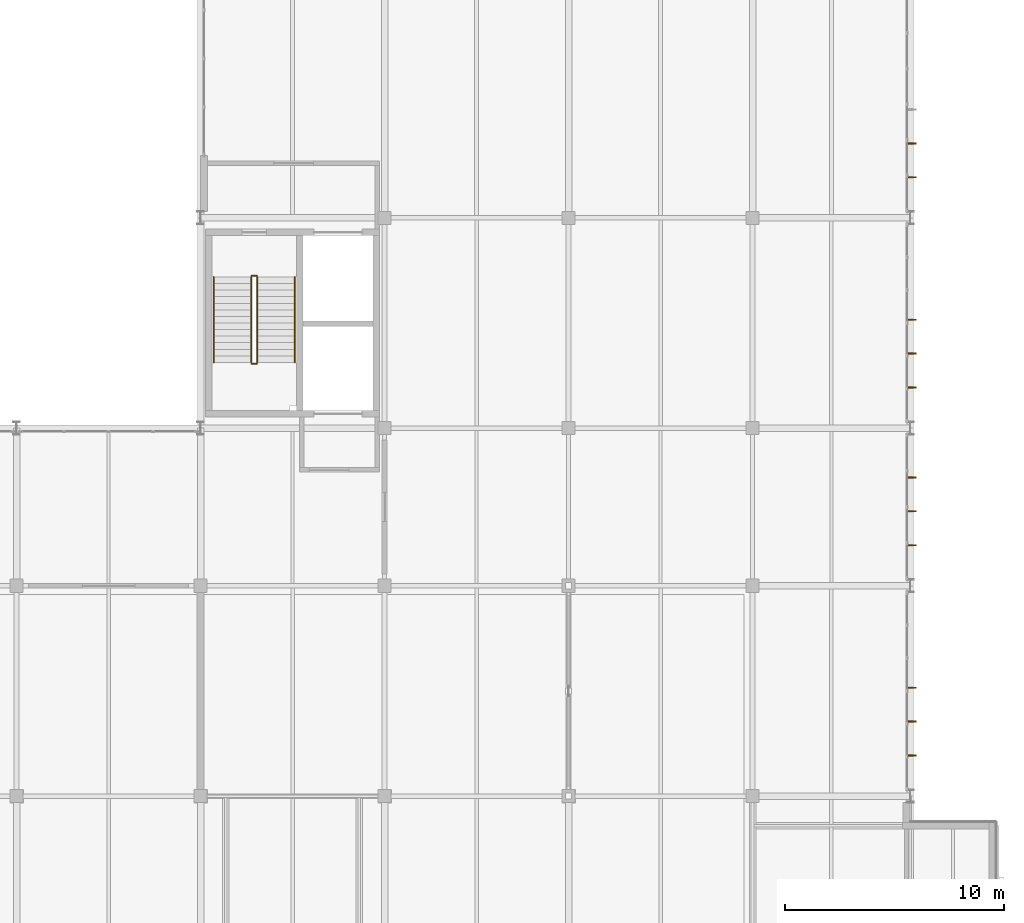
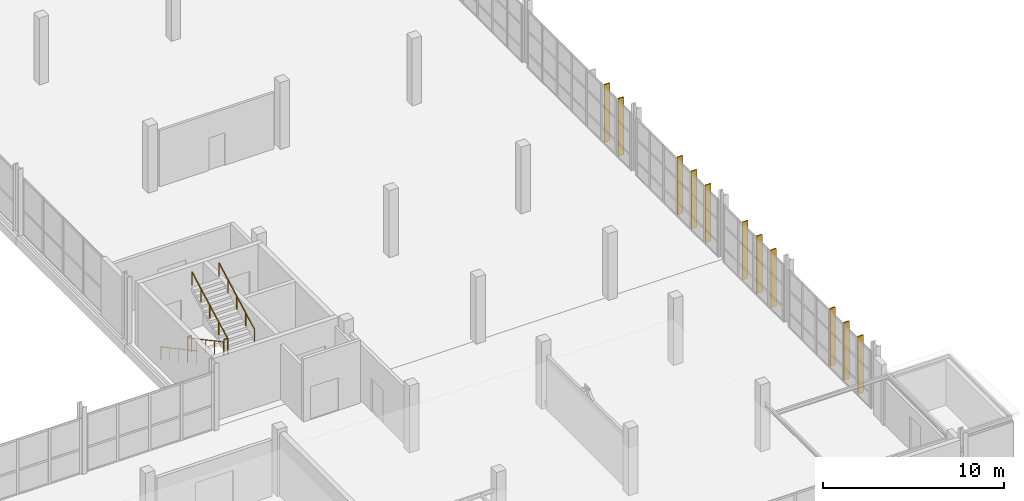
# One storey, part 129 of 130: 11 shading devices, 6 railings.
"""IFC4 building model written with IfcOpenShell, lengths in metres."""

from ifc_helpers import new_model, si_unit, direction, frame, origin, origin_2d, place, context, subcontext, project, spatial, rectangle, circle, extrude, material, type_object, element, save


model = new_model("IFC4")

# Units and contexts
model_context = context("Model", 3, precision=1e-05, world=origin(), true_north=direction((0.0, 1.0)))
body_context = subcontext(model_context, "Body", "Model", "MODEL_VIEW")
ifc_project = project(units=[si_unit("LENGTHUNIT", "METRE"), si_unit("AREAUNIT", "SQUARE_METRE"), si_unit("VOLUMEUNIT", "CUBIC_METRE"), si_unit("PLANEANGLEUNIT", "RADIAN"), si_unit("MASSUNIT", "GRAM", prefix="KILO")], contexts=[model_context])

# Site, building, storey
site_placement = place(None, origin())
site = spatial("IfcSite", under=ifc_project, at=site_placement, CompositionType="ELEMENT")
building_placement = place(site_placement, origin())
building = spatial("IfcBuilding", under=site, at=building_placement, Name="Veltarok Museum of Natural Sciences", CompositionType="ELEMENT")
storey_placement = place(building_placement, frame((0.0, 0.0, 12.89990234375)))
storey = spatial("IfcBuildingStorey", under=building, at=storey_placement, Name="L02", CompositionType="ELEMENT", Elevation=12.89990234375)

# Railings
ifc_material_1 = material(Name="Steel S355J2", Category="steel")
railing_type_1 = type_object("IfcRailingType", Name="Interior Atrium and Stairwell Guardrail 1100", PredefinedType="GUARDRAIL", material=ifc_material_1)
for number, where, name in (
    (1, (134.72998046875, 33.35009765625, 0.0), "Stairwell Floor Guard ST-05 L02"),
    (2, (134.72998046875, 29.340087890625, 2.25), "Landing Well Guard ST-05-L02-L1"),
):
    element("IfcRailing", number, at=place(storey_placement, frame(where)), inside=storey, type_object=railing_type_1, Name=name, PredefinedType="GUARDRAIL", context=body_context, shape_type="SweptSolid", body=[
        extrude(circle(Radius=0.02392578125, at=origin_2d()), frame((0.0, 0.0, 1.076171875), z_axis=(1.0, 0.0, 0.0), x_axis=(0.0, 1.0, 0.0)), (0.0, 0.0, 1.0), 0.239990234375),
        extrude(circle(Radius=0.02099609375, at=origin_2d()), origin(), (0.0, 0.0, 1.0), 1.052001953125),
        extrude(circle(Radius=0.02099609375, at=origin_2d()), frame((0.239990234375, 0.0, 0.0)), (0.0, 0.0, 1.0), 1.052001953125),
    ])
railing_type_2 = type_object("IfcRailingType", Name="Stair Flight Tubular Steel Handrail 900", PredefinedType="HANDRAIL", material=ifc_material_1)
for number, where, name in (
    (3, (133.0, 33.300048828125, 0.160888671875), "Stair Handrail ST-05-L02-F1L"),
    (4, (134.719970703125, 33.300048828125, 0.160888671875), "Stair Handrail ST-05-L02-F1R"),
):
    element("IfcRailing", number, at=place(storey_placement, frame(where)), inside=storey, type_object=railing_type_2, Name=name, PredefinedType="HANDRAIL", context=body_context, shape_type="SweptSolid", body=[
        extrude(circle(Radius=0.02392578125, at=origin_2d()), frame((0.0, 0.0, 0.8759765625), z_axis=(0.0, -0.881503758195, 0.472177005251), x_axis=(1.0, 0.0, 0.0)), (0.0, 0.0, 1.0), 4.42431640625),
        extrude(circle(Radius=0.02099609375, at=origin_2d()), origin(), (0.0, 0.0, 1.0), 0.851806640625),
        extrude(circle(Radius=0.02099609375, at=origin_2d()), frame((0.0, -0.97509765625, 0.522216796875)), (0.0, 0.0, 1.0), 0.851806640625),
        extrude(circle(Radius=0.02099609375, at=origin_2d()), frame((0.0, -1.9501953125, 1.04443359375)), (0.0, 0.0, 1.0), 0.851806640625),
        extrude(circle(Radius=0.02099609375, at=origin_2d()), frame((0.0, -2.925048828125, 1.56689453125)), (0.0, 0.0, 1.0), 0.851806640625),
        extrude(circle(Radius=0.02099609375, at=origin_2d()), frame((0.0, -3.900146484375, 2.089111328125)), (0.0, 0.0, 1.0), 0.851806640625),
    ])
for number, where, name in (
    (5, (134.97998046875, 29.39990234375, 2.410888671875), "Stair Handrail ST-05-L02-F2L"),
    (6, (136.699951171875, 29.39990234375, 2.410888671875), "Stair Handrail ST-05-L02-F2R"),
):
    element("IfcRailing", number, at=place(storey_placement, frame(where)), inside=storey, type_object=railing_type_2, Name=name, PredefinedType="HANDRAIL", context=body_context, shape_type="SweptSolid", body=[
        extrude(circle(Radius=0.02392578125, at=origin_2d()), frame((0.0, 0.0, 0.8759765625), z_axis=(0.0, 0.881503758195, 0.472177005251), x_axis=(-1.0, 0.0, 0.0)), (0.0, 0.0, 1.0), 4.42431640625),
        extrude(circle(Radius=0.02099609375, at=origin_2d()), origin(), (0.0, 0.0, 1.0), 0.851806640625),
        extrude(circle(Radius=0.02099609375, at=origin_2d()), frame((0.0, 0.97509765625, 0.522216796875)), (0.0, 0.0, 1.0), 0.851806640625),
        extrude(circle(Radius=0.02099609375, at=origin_2d()), frame((0.0, 1.9501953125, 1.04443359375)), (0.0, 0.0, 1.0), 0.851806640625),
        extrude(circle(Radius=0.02099609375, at=origin_2d()), frame((0.0, 2.925048828125, 1.56689453125)), (0.0, 0.0, 1.0), 0.851806640625),
        extrude(circle(Radius=0.02099609375, at=origin_2d()), frame((0.0, 3.900146484375, 2.089111328125)), (0.0, 0.0, 1.0), 0.851806640625),
    ])

# Shading devices
ifc_material_2 = material(Name="Thermally broken anodised aluminium", Category="aluminium")
shading_device_type = type_object("IfcShadingDeviceType", Name="Vertical Anodised Aluminium Solar Shading Fin 350", PredefinedType="JALOUSIE", material=ifc_material_2)
for number, where, z_axis, x_axis, name in (
    (7, (164.889892578125, 11.449951171875, 0.000244140625), (0.0, 0.0, 1.0), (1.0, 0.0, 0.0), "Solar Shading Fin L02 34"),
    (8, (164.889892578125, 13.0, 0.000244140625), (0.0, 0.0, 1.0), (1.0, 0.0, 0.0), "Solar Shading Fin L02 35"),
    (9, (164.889892578125, 14.550048828125, 0.000244140625), (0.0, 0.0, 1.0), (1.0, 0.0, 0.0), "Solar Shading Fin L02 36"),
    (10, (164.889892578125, 21.050048828125, 0.000244140625), (0.0, 0.0, 1.0), (1.0, 0.0, 0.0), "Solar Shading Fin L02 37"),
    (11, (164.889892578125, 22.60009765625, 0.000244140625), (0.0, 0.0, 1.0), (1.0, 0.0, 0.0), "Solar Shading Fin L02 38"),
    (12, (164.889892578125, 24.14990234375, 0.000244140625), (0.0, 0.0, 1.0), (1.0, 0.0, 0.0), "Solar Shading Fin L02 39"),
    (13, (164.889892578125, 28.25, 0.000244140625), (0.0, 0.0, 1.0), (1.0, 0.0, 0.0), "Solar Shading Fin L02 40"),
    (14, (164.889892578125, 29.800048828125, 0.000244140625), (0.0, 0.0, 1.0), (1.0, 0.0, 0.0), "Solar Shading Fin L02 41"),
    (15, (164.889892578125, 31.35009765625, 0.000244140625), (0.0, 0.0, 1.0), (1.0, 0.0, 0.0), "Solar Shading Fin L02 42"),
    (16, (164.889892578125, 37.85009765625, 0.000244140625), (0.0, 0.0, 1.0), (1.0, 0.0, 0.0), "Solar Shading Fin L02 43"),
    (17, (164.889892578125, 39.39990234375, 0.000244140625), (0.0, 0.0, 1.0), (1.0, 0.0, 0.0), "Solar Shading Fin L02 44"),
):
    element("IfcShadingDevice", number, at=place(storey_placement, frame(where, z_axis=z_axis, x_axis=x_axis)), inside=storey, type_object=shading_device_type, Name=name, PredefinedType="JALOUSIE", context=body_context, shape_type="SweptSolid", body=[
        extrude(rectangle(XDim=0.35009765625, YDim=0.06005859375, at=origin_2d()), origin(), (0.0, 0.0, 1.0), 3.8798828125),
    ])

save(model, "model.ifc")
